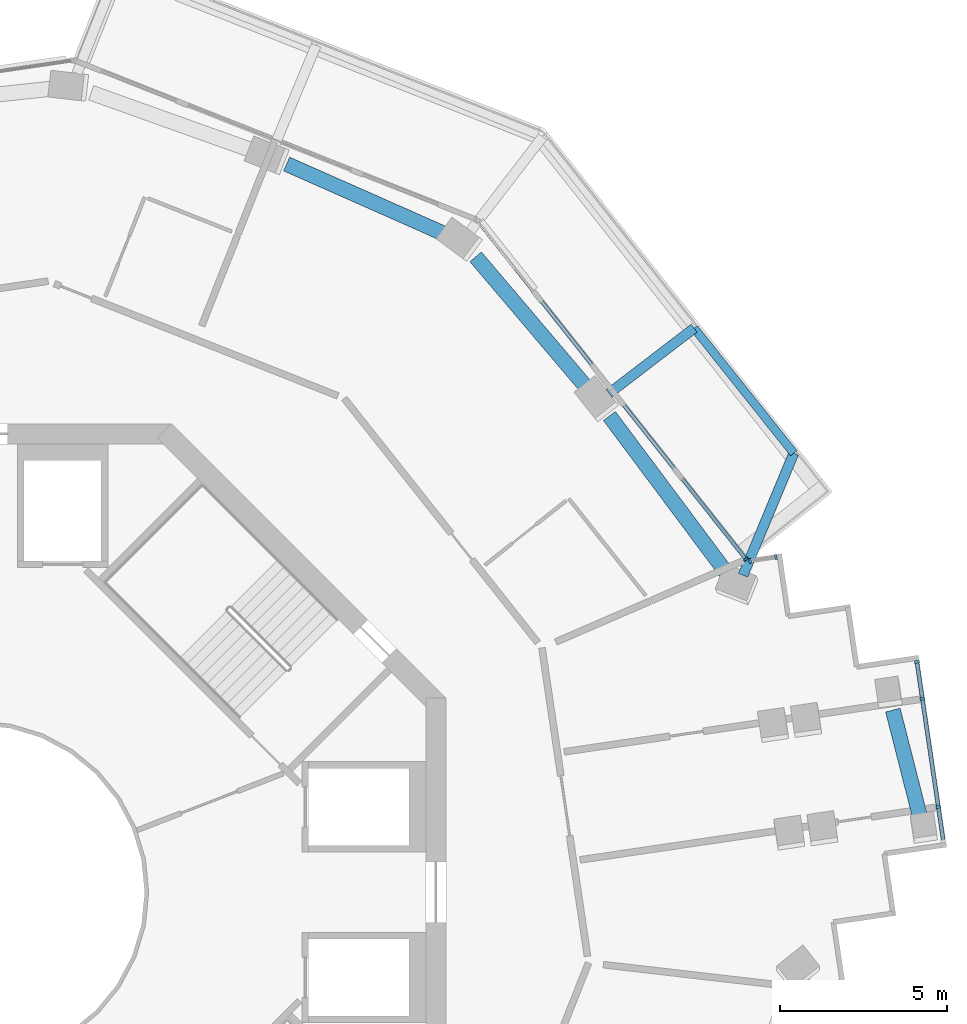
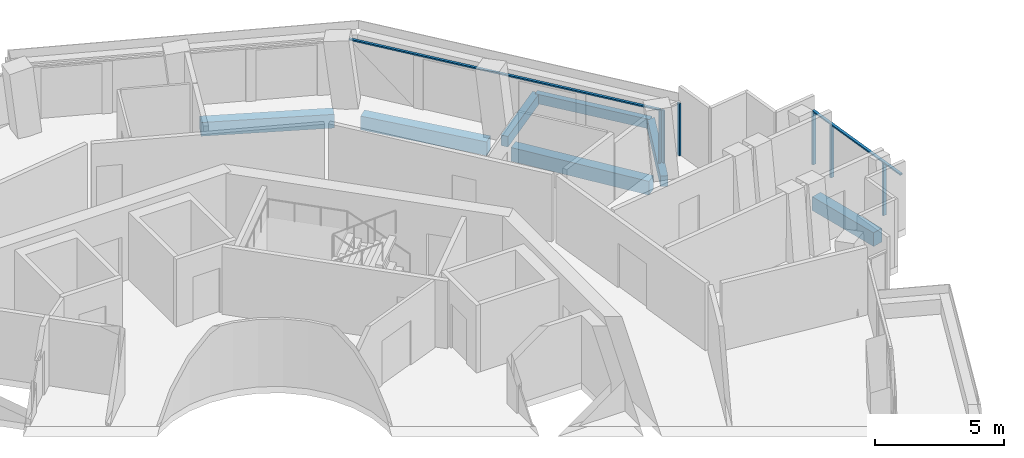
# One storey, part 8 of 21: 8 members, 7 beams, 3 elements without a shape of their own.
"""IFC4 building model written with IfcOpenShell, lengths in metres."""

from ifc_helpers import new_model, si_unit, direction, frame, origin, origin_2d, place, context, subcontext, project, spatial, rectangle, extrude, material, layer, layer_set, material_profile, profile_set, type_object, element, aggregate, save


model = new_model("IFC4")

# Units and contexts
model_context = context("Model", 3, precision=1e-05, world=origin(), true_north=direction((0.0, 1.0)))
body_context = subcontext(model_context, "Body", "Model", "MODEL_VIEW")
ifc_project = project(units=[si_unit("LENGTHUNIT", "METRE"), si_unit("AREAUNIT", "SQUARE_METRE"), si_unit("VOLUMEUNIT", "CUBIC_METRE"), si_unit("PLANEANGLEUNIT", "RADIAN"), si_unit("MASSUNIT", "GRAM", prefix="KILO")], contexts=[model_context])

# Site, building, storey
site_placement = place(None, origin())
site = spatial("IfcSite", under=ifc_project, at=site_placement, CompositionType="ELEMENT")
building_placement = place(site_placement, origin())
building = spatial("IfcBuilding", under=site, at=building_placement, Name="Verdalira Terraces Hotel", CompositionType="ELEMENT")
storey_placement = place(building_placement, frame((0.0, 0.0, 190.5)))
storey = spatial("IfcBuildingStorey", under=building, at=storey_placement, Name="L46", CompositionType="ELEMENT", Elevation=190.5)

# Beams
ifc_material_1 = material(Name="Concrete C40", Category="concrete")
ifc_material_profile_1 = material_profile(ifc_material_1, rectangle(XDim=0.300049, YDim=0.5, at=origin_2d()), Name="RC 300X500")
ifc_profile_set_1 = profile_set([ifc_material_profile_1], Name="Concrete C40")
beam_type_1 = type_object("IfcBeamType", Name="Balcony cantilever beam RC 300X500 C40", PredefinedType="BEAM", material=ifc_profile_set_1)
beam_1_placement = place(storey_placement, frame((22.883789, 9.472168, -0.560059), z_axis=(0.383645255, 0.923480546, 0.0), x_axis=(-0.923480546, 0.383645255, 0.0)))
element("IfcBeam", 1, at=beam_1_placement, inside=storey, type_object=beam_type_1, Name="Balcony cantilever beam R39-1", PredefinedType="BEAM", context=body_context, shape_type="SweptSolid", body=[
    extrude(rectangle(XDim=0.300049, YDim=0.5, at=origin_2d()), origin(), (0.0, 0.0, 1.0), 3.949951),
])
beam_2_placement = place(storey_placement, frame((18.880127, 14.910889, -0.560059), z_axis=(0.793983118, 0.607939807, 0.0), x_axis=(-0.607939807, 0.793983118, 0.0)))
element("IfcBeam", 2, at=beam_2_placement, inside=storey, type_object=beam_type_1, Name="Balcony cantilever beam R39-2", PredefinedType="BEAM", context=body_context, shape_type="SweptSolid", body=[
    extrude(rectangle(XDim=0.300049, YDim=0.5, at=origin_2d()), origin(), (0.0, 0.0, 1.0), 3.200684),
])
ifc_material_2 = material(Name="Concrete C40", Category="concrete")
ifc_material_profile_2 = material_profile(ifc_material_2, rectangle(XDim=0.25, YDim=0.449951, at=origin_2d()), Name="RC 250X450")
ifc_profile_set_2 = profile_set([ifc_material_profile_2], Name="Concrete C40")
beam_type_2 = type_object("IfcBeamType", Name="Balcony edge beam RC 250X450 C40", PredefinedType="BEAM", material=ifc_profile_set_2)
beam_3_placement = place(storey_placement, frame((24.39917, 13.119873, -0.534912), z_axis=(-0.623204682, 0.782058773, 0.0), x_axis=(-0.782058773, -0.623204682, 0.0)))
element("IfcBeam", 3, at=beam_3_placement, inside=storey, type_object=beam_type_2, Name="Balcony edge beam R39-1", PredefinedType="BEAM", context=body_context, shape_type="SweptSolid", body=[
    extrude(rectangle(XDim=0.25, YDim=0.449951, at=origin_2d()), origin(), (0.0, 0.0, 1.0), 4.778076),
])

# Curtain wall, members
ifc_material_3 = material(Name="Clear glass", Category="glass")
ifc_layer_1 = layer(ifc_material_3, 0.14990234375)
ifc_layer_set_1 = layer_set([ifc_layer_1], Name="CW1 curtain wall")
curtain_wall_type_1 = type_object("IfcCurtainWallType", Name="CW1 curtain wall", PredefinedType="NOTDEFINED", material=ifc_layer_set_1)
curtain_wall_1_placement = place(storey_placement, origin())
curtain_wall_1 = element("IfcCurtainWall", 4, at=curtain_wall_1_placement, inside=storey, type_object=curtain_wall_type_1, Name="CW1 curtain wall L46 edge 39", PredefinedType="NOTDEFINED")
ifc_material_4 = material(Name="Terracotta frame", Category="masonry")
ifc_material_profile_3 = material_profile(ifc_material_4, rectangle(XDim=0.060059, YDim=0.149902, at=origin_2d()), Name="MU 60x150")
ifc_profile_set_3 = profile_set([ifc_material_profile_3], Name="Terracotta frame")
member_type_1 = type_object("IfcMemberType", Name="CW1 mullion 60x150", PredefinedType="MULLION", material=ifc_profile_set_3)
member_1_placement = place(storey_placement, frame((22.971191, 9.950928, 0.0), z_axis=(0.0, 0.0, 1.0), x_axis=(-0.62114778, 0.783693457, 0.0)))
member_1 = element("IfcMember", 5, at=member_1_placement, type_object=member_type_1, Name="CW1 mullion", PredefinedType="MULLION", context=body_context, shape_type="SweptSolid", body=[
    extrude(rectangle(XDim=0.060059, YDim=0.149902, at=origin_2d()), origin(), (0.0, 0.0, 1.0), 2.475098),
])
ifc_material_5 = material(Name="Terracotta frame", Category="masonry")
ifc_material_profile_4 = material_profile(ifc_material_5, rectangle(XDim=0.110107, YDim=0.064941, at=origin_2d()), Name="TR 65x110")
ifc_profile_set_4 = profile_set([ifc_material_profile_4], Name="Terracotta frame")
member_type_2 = type_object("IfcMemberType", Name="CW1 transom 65x110", PredefinedType="USERDEFINED", material=ifc_profile_set_4)
member_2_placement = place(storey_placement, frame((22.989746, 9.92749, 2.507568), z_axis=(-0.621141459, 0.783698467, 0.0), x_axis=(-0.783698467, -0.621141459, 0.0)))
member_2 = element("IfcMember", 6, at=member_2_placement, type_object=member_type_2, Name="CW1 transom", ObjectType="TRANSOM", PredefinedType="USERDEFINED", context=body_context, shape_type="SweptSolid", body=[
    extrude(rectangle(XDim=0.110107, YDim=0.064941, at=origin_2d()), origin(), (0.0, 0.0, 1.0), 12.959717),
])
aggregate(curtain_wall_1, [member_1, member_2])

ifc_material_6 = material(Name="Clear glass", Category="glass")
ifc_layer_2 = layer(ifc_material_6, 0.14990234375)
ifc_layer_set_2 = layer_set([ifc_layer_2], Name="CW2 curtain wall")
curtain_wall_type_2 = type_object("IfcCurtainWallType", Name="CW2 curtain wall", PredefinedType="NOTDEFINED", material=ifc_layer_set_2)
curtain_wall_2_placement = place(storey_placement, origin())
curtain_wall_2 = element("IfcCurtainWall", 7, at=curtain_wall_2_placement, inside=storey, type_object=curtain_wall_type_2, Name="CW2 curtain wall L46 edge 38", PredefinedType="NOTDEFINED")
ifc_material_7 = material(Name="Terracotta frame", Category="masonry")
ifc_material_profile_5 = material_profile(ifc_material_7, rectangle(XDim=0.070068, YDim=0.149902, at=origin_2d()), Name="MU 70x150")
ifc_profile_set_5 = profile_set([ifc_material_profile_5], Name="Terracotta frame")
member_type_3 = type_object("IfcMemberType", Name="CW2 mullion 70x150", PredefinedType="MULLION", material=ifc_profile_set_5)
member_3_placement = place(storey_placement, frame((23.865723, 10.018799, 0.0), z_axis=(0.0, 0.0, 1.0), x_axis=(-0.989272333, -0.146083029, 0.0)))
member_3 = element("IfcMember", 8, at=member_3_placement, type_object=member_type_3, Name="CW2 mullion", PredefinedType="MULLION", context=body_context, shape_type="SweptSolid", body=[
    extrude(rectangle(XDim=0.070068, YDim=0.149902, at=origin_2d()), origin(), (0.0, 0.0, 1.0), 2.475098),
])
member_4_placement = place(storey_placement, frame((23.094238, 9.905029, 0.0), z_axis=(0.0, 0.0, 1.0), x_axis=(-0.989272333, -0.146083029, 0.0)))
member_4 = element("IfcMember", 9, at=member_4_placement, type_object=member_type_3, Name="CW2 mullion", PredefinedType="MULLION", context=body_context, shape_type="SweptSolid", body=[
    extrude(rectangle(XDim=0.070068, YDim=0.149902, at=origin_2d()), origin(), (0.0, 0.0, 1.0), 2.475098),
])
aggregate(curtain_wall_2, [member_3, member_4])

ifc_material_8 = material(Name="Clear glass", Category="glass")
ifc_layer_3 = layer(ifc_material_8, 0.14990234375)
ifc_layer_set_3 = layer_set([ifc_layer_3], Name="CW3 curtain wall")
curtain_wall_type_3 = type_object("IfcCurtainWallType", Name="CW3 curtain wall", PredefinedType="NOTDEFINED", material=ifc_layer_set_3)
curtain_wall_3_placement = place(storey_placement, origin())
curtain_wall_3 = element("IfcCurtainWall", 10, at=curtain_wall_3_placement, inside=storey, type_object=curtain_wall_type_3, Name="CW3 curtain wall L46 edge 33", PredefinedType="NOTDEFINED")
ifc_material_9 = material(Name="Terracotta frame", Category="masonry")
ifc_material_profile_6 = material_profile(ifc_material_9, rectangle(XDim=0.080078, YDim=0.149902, at=origin_2d()), Name="MU 80x150")
ifc_profile_set_6 = profile_set([ifc_material_profile_6], Name="Terracotta frame")
member_type_4 = type_object("IfcMemberType", Name="CW3 mullion 80x150", PredefinedType="MULLION", material=ifc_profile_set_6)
member_5_placement = place(storey_placement, frame((28.719238, 2.547119, 0.0), z_axis=(0.0, 0.0, 1.0), x_axis=(-0.146083029, 0.989272333, 0.0)))
member_5 = element("IfcMember", 11, at=member_5_placement, type_object=member_type_4, Name="CW3 mullion", PredefinedType="MULLION", context=body_context, shape_type="SweptSolid", body=[
    extrude(rectangle(XDim=0.080078, YDim=0.149902, at=origin_2d()), origin(), (0.0, 0.0, 1.0), 2.475098),
])
member_6_placement = place(storey_placement, frame((28.242432, 5.776611, 0.0), z_axis=(0.0, 0.0, 1.0), x_axis=(-0.146083029, 0.989272333, 0.0)))
member_6 = element("IfcMember", 12, at=member_6_placement, type_object=member_type_4, Name="CW3 mullion", PredefinedType="MULLION", context=body_context, shape_type="SweptSolid", body=[
    extrude(rectangle(XDim=0.080078, YDim=0.149902, at=origin_2d()), origin(), (0.0, 0.0, 1.0), 2.475098),
])
member_7_placement = place(storey_placement, frame((28.078613, 6.885742, 0.0), z_axis=(0.0, 0.0, 1.0), x_axis=(-0.146083029, 0.989272333, 0.0)))
member_7 = element("IfcMember", 13, at=member_7_placement, type_object=member_type_4, Name="CW3 mullion", PredefinedType="MULLION", context=body_context, shape_type="SweptSolid", body=[
    extrude(rectangle(XDim=0.080078, YDim=0.149902, at=origin_2d()), origin(), (0.0, 0.0, 1.0), 2.475098),
])
ifc_material_10 = material(Name="Terracotta frame", Category="masonry")
ifc_material_profile_7 = material_profile(ifc_material_10, rectangle(XDim=0.120117, YDim=0.064941, at=origin_2d()), Name="TR 65x120")
ifc_profile_set_7 = profile_set([ifc_material_profile_7], Name="Terracotta frame")
member_type_5 = type_object("IfcMemberType", Name="CW3 transom 65x120", PredefinedType="USERDEFINED", material=ifc_profile_set_7)
member_8_placement = place(storey_placement, frame((28.876221, 1.484375, 2.507568), z_axis=(-0.146086931, 0.989271757, 0.0), x_axis=(-0.989271757, -0.146086931, 0.0)))
member_8 = element("IfcMember", 14, at=member_8_placement, type_object=member_type_5, Name="CW3 transom", ObjectType="TRANSOM", PredefinedType="USERDEFINED", context=body_context, shape_type="SweptSolid", body=[
    extrude(rectangle(XDim=0.120117, YDim=0.064941, at=origin_2d()), origin(), (0.0, 0.0, 1.0), 5.5),
])
aggregate(curtain_wall_3, [member_5, member_6, member_7, member_8])

# Beams
ifc_material_11 = material(Name="Concrete C50", Category="concrete")
ifc_material_profile_8 = material_profile(ifc_material_11, rectangle(XDim=0.449951, YDim=0.649902, at=origin_2d()), Name="RC 450X650")
ifc_profile_set_8 = profile_set([ifc_material_profile_8], Name="Concrete C50")
beam_type_3 = type_object("IfcBeamType", Name="Spandrel beam RC 450X650 C50", PredefinedType="SPANDREL", material=ifc_profile_set_8)
beam_4_placement = place(storey_placement, frame((28.200195, 2.143799, -0.63501), z_axis=(-0.246380514, 0.969173175, 0.0), x_axis=(-0.969173175, -0.246380514, 0.0)))
element("IfcBeam", 15, at=beam_4_placement, inside=storey, type_object=beam_type_3, Name="Spandrel beam B17", PredefinedType="SPANDREL", context=body_context, shape_type="SweptSolid", body=[
    extrude(rectangle(XDim=0.449951, YDim=0.649902, at=origin_2d()), origin(), (0.0, 0.0, 1.0), 3.404785),
])
beam_5_placement = place(storey_placement, frame((22.364746, 9.575439, -0.63501), z_axis=(-0.598204382, 0.80134357, 0.0), x_axis=(-0.80134357, -0.598204382, 0.0)))
element("IfcBeam", 16, at=beam_5_placement, inside=storey, type_object=beam_type_3, Name="Spandrel beam B18", PredefinedType="SPANDREL", context=body_context, shape_type="SweptSolid", body=[
    extrude(rectangle(XDim=0.449951, YDim=0.649902, at=origin_2d()), origin(), (0.0, 0.0, 1.0), 5.813232),
])
beam_6_placement = place(storey_placement, frame((18.248779, 15.034668, -0.63501), z_axis=(-0.647095148, 0.762409253, 0.0), x_axis=(-0.762409253, -0.647095148, 0.0)))
element("IfcBeam", 17, at=beam_6_placement, inside=storey, type_object=beam_type_3, Name="Spandrel beam B19", PredefinedType="SPANDREL", context=body_context, shape_type="SweptSolid", body=[
    extrude(rectangle(XDim=0.449951, YDim=0.649902, at=origin_2d()), origin(), (0.0, 0.0, 1.0), 5.189209),
])
beam_7_placement = place(storey_placement, frame((13.989258, 19.662598, -0.63501), z_axis=(-0.914448345, 0.404702638, 0.0), x_axis=(-0.404702638, -0.914448345, 0.0)))
element("IfcBeam", 18, at=beam_7_placement, inside=storey, type_object=beam_type_3, Name="Spandrel beam B20", PredefinedType="SPANDREL", context=body_context, shape_type="SweptSolid", body=[
    extrude(rectangle(XDim=0.449951, YDim=0.649902, at=origin_2d()), origin(), (0.0, 0.0, 1.0), 5.192139),
])

save(model, "model.ifc")
